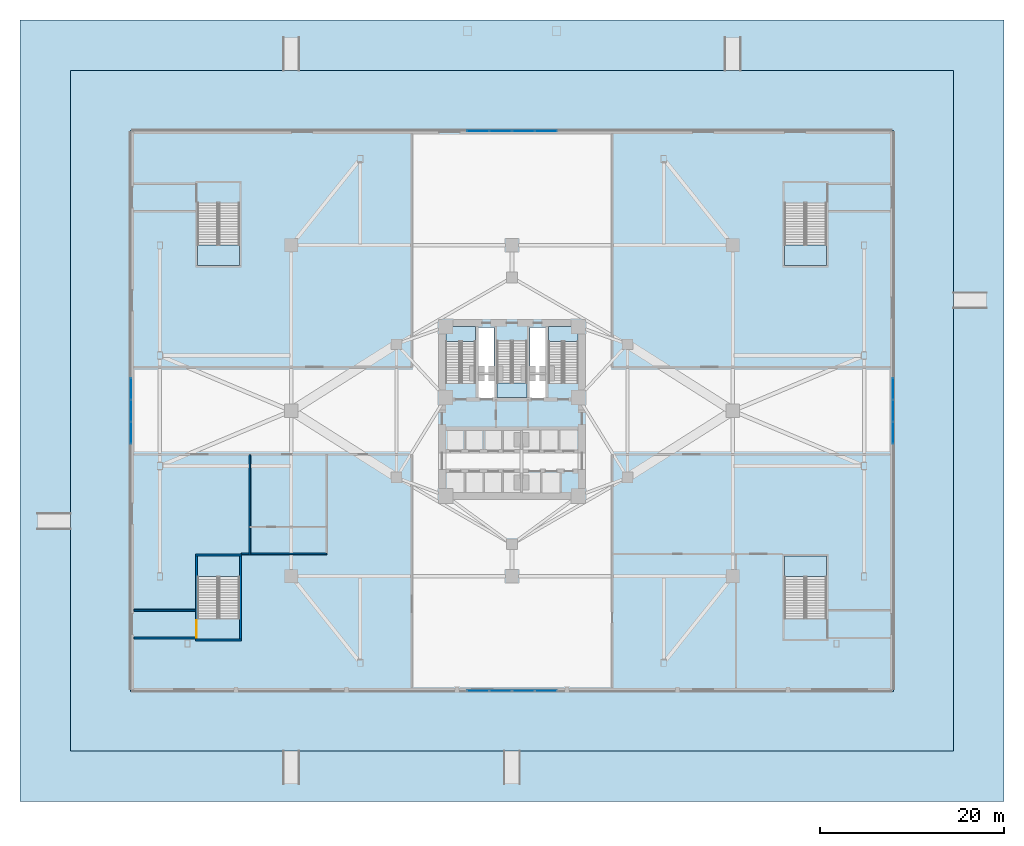
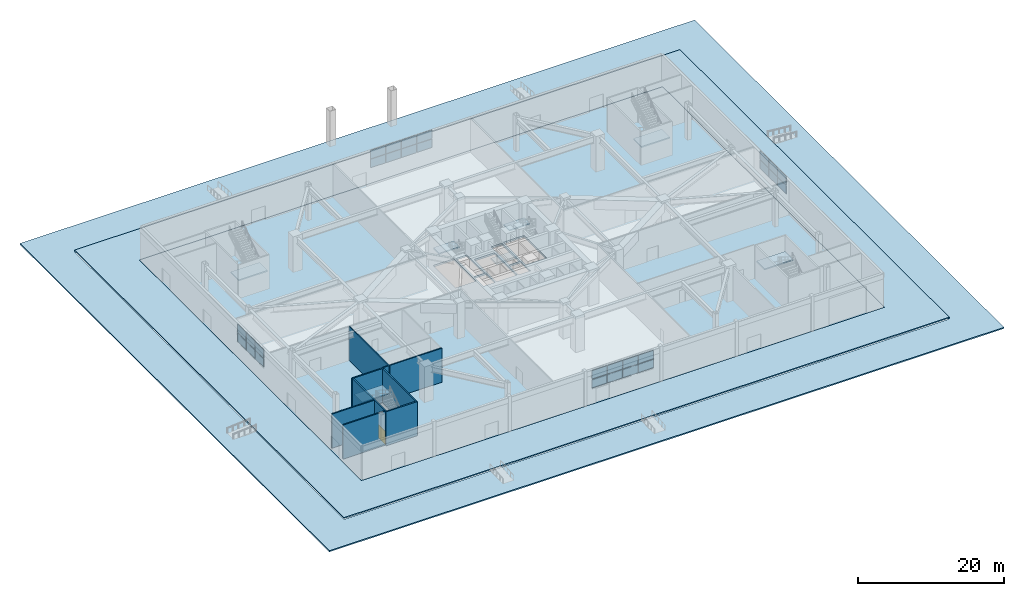
# One storey, part 8 of 24: 28 plates, 10 slabs, 8 walls, 1 door, 1 opening, 11 elements without a shape of their own.
"""IFC4 building model written with IfcOpenShell, lengths in metres."""

from ifc_helpers import new_model, si_unit, direction, frame, frame_2d, origin, origin_2d, place, context, subcontext, project, spatial, polyline, rectangle, outline, extrude, material, layer, layer_set, type_object, element, fill, aggregate, save


model = new_model("IFC4")

# Units and contexts
model_context = context("Model", 3, precision=1e-05, world=origin(), true_north=direction((0.0, 1.0)))
body_context = subcontext(model_context, "Body", "Model", "MODEL_VIEW")
ifc_project = project(units=[si_unit("LENGTHUNIT", "METRE"), si_unit("AREAUNIT", "SQUARE_METRE"), si_unit("VOLUMEUNIT", "CUBIC_METRE"), si_unit("PLANEANGLEUNIT", "RADIAN"), si_unit("MASSUNIT", "GRAM", prefix="KILO")], contexts=[model_context])

# Site, building, storey
site_placement = place(None, origin())
site = spatial("IfcSite", under=ifc_project, at=site_placement, CompositionType="ELEMENT")
building_placement = place(site_placement, origin())
building = spatial("IfcBuilding", under=site, at=building_placement, Name="Apsidion Concourse Tower", CompositionType="ELEMENT")
storey_placement = place(building_placement, origin())
storey = spatial("IfcBuildingStorey", under=building, at=storey_placement, Name="L00", CompositionType="ELEMENT", Elevation=0.0)

# Curtain wall, plates
ifc_material_1 = material(Name="Insulated laminated low-E glass", Category="glass")
ifc_layer_1 = layer(ifc_material_1, 0.18994140625)
ifc_layer_set_1 = layer_set([ifc_layer_1], Name="Insulated laminated low-E glass")
curtain_wall_type = type_object("IfcCurtainWallType", Name="CW-SYS-01", PredefinedType="NOTDEFINED", material=ifc_layer_set_1)
curtain_wall_1_placement = place(storey_placement, origin())
curtain_wall_1 = element("IfcCurtainWall", 1, at=curtain_wall_1_placement, inside=storey, type_object=curtain_wall_type, Name="L00 Podium Glazed Curtain Wall S", PredefinedType="NOTDEFINED")
ifc_layer_2 = layer(ifc_material_1, 0.031982421875)
ifc_layer_set_2 = layer_set([ifc_layer_2], Name="Insulated laminated low-E glass")
plate_type = type_object("IfcPlateType", Name="CWP-GLZ-32", PredefinedType="CURTAIN_PANEL", material=ifc_layer_set_2)
plate_1_placement = place(storey_placement, frame((3.6982421875, -30.43994140625, 2.675048828125), z_axis=(0.0, 0.0, 1.0), x_axis=(-1.0, 0.0, 0.0)))
plate_1 = element("IfcPlate", 2, at=plate_1_placement, type_object=plate_type, Name="CW-01 panel 1.1", PredefinedType="CURTAIN_PANEL", context=body_context, shape_type="SweptSolid", body=[
    extrude(rectangle(XDim=2.365478515625, YDim=0.031982421875, at=origin_2d()), origin(), (0.0, 0.0, 1.0), 1.41259765625),
])
plate_2_placement = place(storey_placement, frame((3.6982421875, -30.43994140625, 4.162353515625), z_axis=(0.0, 0.0, 1.0), x_axis=(-1.0, 0.0, 0.0)))
plate_2 = element("IfcPlate", 3, at=plate_2_placement, type_object=plate_type, Name="CW-01 panel 1.2", PredefinedType="CURTAIN_PANEL", context=body_context, shape_type="SweptSolid", body=[
    extrude(rectangle(XDim=2.365478515625, YDim=0.031982421875, at=origin_2d()), origin(), (0.0, 0.0, 1.0), 1.41259765625),
])
plate_3_placement = place(storey_placement, frame((1.239013671875, -30.43994140625, 2.675048828125), z_axis=(0.0, 0.0, 1.0), x_axis=(-1.0, 0.0, 0.0)))
plate_3 = element("IfcPlate", 4, at=plate_3_placement, type_object=plate_type, Name="CW-01 panel 2.1", PredefinedType="CURTAIN_PANEL", context=body_context, shape_type="SweptSolid", body=[
    extrude(rectangle(XDim=2.403076171875, YDim=0.031982421875, at=origin_2d()), origin(), (0.0, 0.0, 1.0), 1.41259765625),
])
plate_4_placement = place(storey_placement, frame((1.239013671875, -30.43994140625, 4.162353515625), z_axis=(0.0, 0.0, 1.0), x_axis=(-1.0, 0.0, 0.0)))
plate_4 = element("IfcPlate", 5, at=plate_4_placement, type_object=plate_type, Name="CW-01 panel 2.2", PredefinedType="CURTAIN_PANEL", context=body_context, shape_type="SweptSolid", body=[
    extrude(rectangle(XDim=2.403076171875, YDim=0.031982421875, at=origin_2d()), origin(), (0.0, 0.0, 1.0), 1.41259765625),
])
plate_5_placement = place(storey_placement, frame((-1.239013671875, -30.43994140625, 2.675048828125), z_axis=(0.0, 0.0, 1.0), x_axis=(-1.0, 0.0, 0.0)))
plate_5 = element("IfcPlate", 6, at=plate_5_placement, type_object=plate_type, Name="CW-01 panel 3.1", PredefinedType="CURTAIN_PANEL", context=body_context, shape_type="SweptSolid", body=[
    extrude(rectangle(XDim=2.403076171875, YDim=0.031982421875, at=origin_2d()), origin(), (0.0, 0.0, 1.0), 1.41259765625),
])
plate_6_placement = place(storey_placement, frame((-1.239013671875, -30.43994140625, 4.162353515625), z_axis=(0.0, 0.0, 1.0), x_axis=(-1.0, 0.0, 0.0)))
plate_6 = element("IfcPlate", 7, at=plate_6_placement, type_object=plate_type, Name="CW-01 panel 3.2", PredefinedType="CURTAIN_PANEL", context=body_context, shape_type="SweptSolid", body=[
    extrude(rectangle(XDim=2.403076171875, YDim=0.031982421875, at=origin_2d()), origin(), (0.0, 0.0, 1.0), 1.41259765625),
])
plate_7_placement = place(storey_placement, frame((-3.6982421875, -30.43994140625, 2.675048828125), z_axis=(0.0, 0.0, 1.0), x_axis=(-1.0, 0.0, 0.0)))
plate_7 = element("IfcPlate", 8, at=plate_7_placement, type_object=plate_type, Name="CW-01 panel 4.1", PredefinedType="CURTAIN_PANEL", context=body_context, shape_type="SweptSolid", body=[
    extrude(rectangle(XDim=2.365478515625, YDim=0.031982421875, at=origin_2d()), origin(), (0.0, 0.0, 1.0), 1.41259765625),
])
plate_8_placement = place(storey_placement, frame((-3.6982421875, -30.43994140625, 4.162353515625), z_axis=(0.0, 0.0, 1.0), x_axis=(-1.0, 0.0, 0.0)))
plate_8 = element("IfcPlate", 9, at=plate_8_placement, type_object=plate_type, Name="CW-01 panel 4.2", PredefinedType="CURTAIN_PANEL", context=body_context, shape_type="SweptSolid", body=[
    extrude(rectangle(XDim=2.365478515625, YDim=0.031982421875, at=origin_2d()), origin(), (0.0, 0.0, 1.0), 1.41259765625),
])
aggregate(curtain_wall_1, [plate_1, plate_2, plate_3, plate_4, plate_5, plate_6, plate_7, plate_8])

curtain_wall_2_placement = place(storey_placement, origin())
curtain_wall_2 = element("IfcCurtainWall", 10, at=curtain_wall_2_placement, inside=storey, type_object=curtain_wall_type, Name="L00 Podium Glazed Curtain Wall W", PredefinedType="NOTDEFINED")
plate_9_placement = place(storey_placement, frame((-41.43994140625, -2.4052734375, 2.675048828125), z_axis=(0.0, 0.0, 1.0), x_axis=(0.0, 1.0, 0.0)))
plate_9 = element("IfcPlate", 11, at=plate_9_placement, type_object=plate_type, Name="CW-01 panel 1.1", PredefinedType="CURTAIN_PANEL", context=body_context, shape_type="SweptSolid", body=[
    extrude(rectangle(XDim=2.3115234375, YDim=0.031982421875, at=origin_2d()), origin(), (0.0, 0.0, 1.0), 1.41259765625),
])
plate_10_placement = place(storey_placement, frame((-41.43994140625, -2.4052734375, 4.162353515625), z_axis=(0.0, 0.0, 1.0), x_axis=(0.0, 1.0, 0.0)))
plate_10 = element("IfcPlate", 12, at=plate_10_placement, type_object=plate_type, Name="CW-01 panel 1.2", PredefinedType="CURTAIN_PANEL", context=body_context, shape_type="SweptSolid", body=[
    extrude(rectangle(XDim=2.3115234375, YDim=0.031982421875, at=origin_2d()), origin(), (0.0, 0.0, 1.0), 1.41259765625),
])
plate_11_placement = place(storey_placement, frame((-41.43994140625, 0.0, 2.675048828125), z_axis=(0.0, 0.0, 1.0), x_axis=(0.0, 1.0, 0.0)))
plate_11 = element("IfcPlate", 13, at=plate_11_placement, type_object=plate_type, Name="CW-01 panel 2.1", PredefinedType="CURTAIN_PANEL", context=body_context, shape_type="SweptSolid", body=[
    extrude(rectangle(XDim=2.34912109375, YDim=0.031982421875, at=origin_2d()), origin(), (0.0, 0.0, 1.0), 1.41259765625),
])
plate_12_placement = place(storey_placement, frame((-41.43994140625, 0.0, 4.162353515625), z_axis=(0.0, 0.0, 1.0), x_axis=(0.0, 1.0, 0.0)))
plate_12 = element("IfcPlate", 14, at=plate_12_placement, type_object=plate_type, Name="CW-01 panel 2.2", PredefinedType="CURTAIN_PANEL", context=body_context, shape_type="SweptSolid", body=[
    extrude(rectangle(XDim=2.34912109375, YDim=0.031982421875, at=origin_2d()), origin(), (0.0, 0.0, 1.0), 1.41259765625),
])
plate_13_placement = place(storey_placement, frame((-41.43994140625, 2.4052734375, 2.675048828125), z_axis=(0.0, 0.0, 1.0), x_axis=(0.0, 1.0, 0.0)))
plate_13 = element("IfcPlate", 15, at=plate_13_placement, type_object=plate_type, Name="CW-01 panel 3.1", PredefinedType="CURTAIN_PANEL", context=body_context, shape_type="SweptSolid", body=[
    extrude(rectangle(XDim=2.3115234375, YDim=0.031982421875, at=origin_2d()), origin(), (0.0, 0.0, 1.0), 1.41259765625),
])
plate_14_placement = place(storey_placement, frame((-41.43994140625, 2.4052734375, 4.162353515625), z_axis=(0.0, 0.0, 1.0), x_axis=(0.0, 1.0, 0.0)))
plate_14 = element("IfcPlate", 16, at=plate_14_placement, type_object=plate_type, Name="CW-01 panel 3.2", PredefinedType="CURTAIN_PANEL", context=body_context, shape_type="SweptSolid", body=[
    extrude(rectangle(XDim=2.3115234375, YDim=0.031982421875, at=origin_2d()), origin(), (0.0, 0.0, 1.0), 1.41259765625),
])
aggregate(curtain_wall_2, [plate_9, plate_10, plate_11, plate_12, plate_13, plate_14])

curtain_wall_3_placement = place(storey_placement, origin())
curtain_wall_3 = element("IfcCurtainWall", 17, at=curtain_wall_3_placement, inside=storey, type_object=curtain_wall_type, Name="L00 Podium Glazed Curtain Wall N", PredefinedType="NOTDEFINED")
plate_15_placement = place(storey_placement, frame((-3.6982421875, 30.43994140625, 2.675048828125), z_axis=(0.0, 0.0, 1.0), x_axis=(1.0, 0.0, 0.0)))
plate_15 = element("IfcPlate", 18, at=plate_15_placement, type_object=plate_type, Name="CW-01 panel 1.1", PredefinedType="CURTAIN_PANEL", context=body_context, shape_type="SweptSolid", body=[
    extrude(rectangle(XDim=2.365478515625, YDim=0.031982421875, at=origin_2d()), origin(), (0.0, 0.0, 1.0), 1.41259765625),
])
plate_16_placement = place(storey_placement, frame((-3.6982421875, 30.43994140625, 4.162353515625), z_axis=(0.0, 0.0, 1.0), x_axis=(1.0, 0.0, 0.0)))
plate_16 = element("IfcPlate", 19, at=plate_16_placement, type_object=plate_type, Name="CW-01 panel 1.2", PredefinedType="CURTAIN_PANEL", context=body_context, shape_type="SweptSolid", body=[
    extrude(rectangle(XDim=2.365478515625, YDim=0.031982421875, at=origin_2d()), origin(), (0.0, 0.0, 1.0), 1.41259765625),
])
plate_17_placement = place(storey_placement, frame((-1.239013671875, 30.43994140625, 2.675048828125), z_axis=(0.0, 0.0, 1.0), x_axis=(1.0, 0.0, 0.0)))
plate_17 = element("IfcPlate", 20, at=plate_17_placement, type_object=plate_type, Name="CW-01 panel 2.1", PredefinedType="CURTAIN_PANEL", context=body_context, shape_type="SweptSolid", body=[
    extrude(rectangle(XDim=2.403076171875, YDim=0.031982421875, at=origin_2d()), origin(), (0.0, 0.0, 1.0), 1.41259765625),
])
plate_18_placement = place(storey_placement, frame((-1.239013671875, 30.43994140625, 4.162353515625), z_axis=(0.0, 0.0, 1.0), x_axis=(1.0, 0.0, 0.0)))
plate_18 = element("IfcPlate", 21, at=plate_18_placement, type_object=plate_type, Name="CW-01 panel 2.2", PredefinedType="CURTAIN_PANEL", context=body_context, shape_type="SweptSolid", body=[
    extrude(rectangle(XDim=2.403076171875, YDim=0.031982421875, at=origin_2d()), origin(), (0.0, 0.0, 1.0), 1.41259765625),
])
plate_19_placement = place(storey_placement, frame((1.239013671875, 30.43994140625, 2.675048828125), z_axis=(0.0, 0.0, 1.0), x_axis=(1.0, 0.0, 0.0)))
plate_19 = element("IfcPlate", 22, at=plate_19_placement, type_object=plate_type, Name="CW-01 panel 3.1", PredefinedType="CURTAIN_PANEL", context=body_context, shape_type="SweptSolid", body=[
    extrude(rectangle(XDim=2.403076171875, YDim=0.031982421875, at=origin_2d()), origin(), (0.0, 0.0, 1.0), 1.41259765625),
])
plate_20_placement = place(storey_placement, frame((1.239013671875, 30.43994140625, 4.162353515625), z_axis=(0.0, 0.0, 1.0), x_axis=(1.0, 0.0, 0.0)))
plate_20 = element("IfcPlate", 23, at=plate_20_placement, type_object=plate_type, Name="CW-01 panel 3.2", PredefinedType="CURTAIN_PANEL", context=body_context, shape_type="SweptSolid", body=[
    extrude(rectangle(XDim=2.403076171875, YDim=0.031982421875, at=origin_2d()), origin(), (0.0, 0.0, 1.0), 1.41259765625),
])
plate_21_placement = place(storey_placement, frame((3.6982421875, 30.43994140625, 2.675048828125), z_axis=(0.0, 0.0, 1.0), x_axis=(1.0, 0.0, 0.0)))
plate_21 = element("IfcPlate", 24, at=plate_21_placement, type_object=plate_type, Name="CW-01 panel 4.1", PredefinedType="CURTAIN_PANEL", context=body_context, shape_type="SweptSolid", body=[
    extrude(rectangle(XDim=2.365478515625, YDim=0.031982421875, at=origin_2d()), origin(), (0.0, 0.0, 1.0), 1.41259765625),
])
plate_22_placement = place(storey_placement, frame((3.6982421875, 30.43994140625, 4.162353515625), z_axis=(0.0, 0.0, 1.0), x_axis=(1.0, 0.0, 0.0)))
plate_22 = element("IfcPlate", 25, at=plate_22_placement, type_object=plate_type, Name="CW-01 panel 4.2", PredefinedType="CURTAIN_PANEL", context=body_context, shape_type="SweptSolid", body=[
    extrude(rectangle(XDim=2.365478515625, YDim=0.031982421875, at=origin_2d()), origin(), (0.0, 0.0, 1.0), 1.41259765625),
])
aggregate(curtain_wall_3, [plate_15, plate_16, plate_17, plate_18, plate_19, plate_20, plate_21, plate_22])

curtain_wall_4_placement = place(storey_placement, origin())
curtain_wall_4 = element("IfcCurtainWall", 26, at=curtain_wall_4_placement, inside=storey, type_object=curtain_wall_type, Name="L00 Podium Glazed Curtain Wall E", PredefinedType="NOTDEFINED")
plate_23_placement = place(storey_placement, frame((41.43994140625, 2.4052734375, 2.675048828125), z_axis=(0.0, 0.0, 1.0), x_axis=(0.0, -1.0, 0.0)))
plate_23 = element("IfcPlate", 27, at=plate_23_placement, type_object=plate_type, Name="CW-01 panel 1.1", PredefinedType="CURTAIN_PANEL", context=body_context, shape_type="SweptSolid", body=[
    extrude(rectangle(XDim=2.3115234375, YDim=0.031982421875, at=origin_2d()), origin(), (0.0, 0.0, 1.0), 1.41259765625),
])
plate_24_placement = place(storey_placement, frame((41.43994140625, 2.4052734375, 4.162353515625), z_axis=(0.0, 0.0, 1.0), x_axis=(0.0, -1.0, 0.0)))
plate_24 = element("IfcPlate", 28, at=plate_24_placement, type_object=plate_type, Name="CW-01 panel 1.2", PredefinedType="CURTAIN_PANEL", context=body_context, shape_type="SweptSolid", body=[
    extrude(rectangle(XDim=2.3115234375, YDim=0.031982421875, at=origin_2d()), origin(), (0.0, 0.0, 1.0), 1.41259765625),
])
plate_25_placement = place(storey_placement, frame((41.43994140625, 0.0, 2.675048828125), z_axis=(0.0, 0.0, 1.0), x_axis=(0.0, -1.0, 0.0)))
plate_25 = element("IfcPlate", 29, at=plate_25_placement, type_object=plate_type, Name="CW-01 panel 2.1", PredefinedType="CURTAIN_PANEL", context=body_context, shape_type="SweptSolid", body=[
    extrude(rectangle(XDim=2.34912109375, YDim=0.031982421875, at=origin_2d()), origin(), (0.0, 0.0, 1.0), 1.41259765625),
])
plate_26_placement = place(storey_placement, frame((41.43994140625, 0.0, 4.162353515625), z_axis=(0.0, 0.0, 1.0), x_axis=(0.0, -1.0, 0.0)))
plate_26 = element("IfcPlate", 30, at=plate_26_placement, type_object=plate_type, Name="CW-01 panel 2.2", PredefinedType="CURTAIN_PANEL", context=body_context, shape_type="SweptSolid", body=[
    extrude(rectangle(XDim=2.34912109375, YDim=0.031982421875, at=origin_2d()), origin(), (0.0, 0.0, 1.0), 1.41259765625),
])
plate_27_placement = place(storey_placement, frame((41.43994140625, -2.4052734375, 2.675048828125), z_axis=(0.0, 0.0, 1.0), x_axis=(0.0, -1.0, 0.0)))
plate_27 = element("IfcPlate", 31, at=plate_27_placement, type_object=plate_type, Name="CW-01 panel 3.1", PredefinedType="CURTAIN_PANEL", context=body_context, shape_type="SweptSolid", body=[
    extrude(rectangle(XDim=2.3115234375, YDim=0.031982421875, at=origin_2d()), origin(), (0.0, 0.0, 1.0), 1.41259765625),
])
plate_28_placement = place(storey_placement, frame((41.43994140625, -2.4052734375, 4.162353515625), z_axis=(0.0, 0.0, 1.0), x_axis=(0.0, -1.0, 0.0)))
plate_28 = element("IfcPlate", 32, at=plate_28_placement, type_object=plate_type, Name="CW-01 panel 3.2", PredefinedType="CURTAIN_PANEL", context=body_context, shape_type="SweptSolid", body=[
    extrude(rectangle(XDim=2.3115234375, YDim=0.031982421875, at=origin_2d()), origin(), (0.0, 0.0, 1.0), 1.41259765625),
])
aggregate(curtain_wall_4, [plate_23, plate_24, plate_25, plate_26, plate_27, plate_28])

# Slabs
ifc_material_2 = material(Name="Concrete C50/60", Category="concrete")
ifc_layer_3 = layer(ifc_material_2, 0.300048828125)
ifc_layer_set_3 = layer_set([ifc_layer_3], Name="Concrete C50/60")
slab_type_1 = type_object("IfcSlabType", Name="SL-FLR-300", PredefinedType="FLOOR", material=ifc_layer_set_3)
slab_1_placement = place(storey_placement, frame((0.0, 0.0, -0.300048828125)))
element("IfcSlab", 33, at=slab_1_placement, inside=storey, type_object=slab_type_1, Name="L00 Structural Floor Slab", PredefinedType="FLOOR", context=body_context, shape_type="SweptSolid", body=[
    extrude(outline(polyline([(-41.5, -30.5), (41.5, -30.5), (41.5, 30.5), (-41.5, 30.5), (-41.5, -30.5)]), holes=[polyline([(-3.949951171875, 3.0), (-3.949951171875, 9.14990234375), (-7.199951171875, 9.14990234375), (-7.199951171875, 3.0), (-3.949951171875, 3.0)]), polyline([(7.199951171875, 3.0), (7.199951171875, 9.14990234375), (3.949951171875, 9.14990234375), (3.949951171875, 3.0), (7.199951171875, 3.0)]), polyline([(-1.625, 7.60009765625), (-1.625, 1.449951171875), (1.625, 1.449951171875), (1.625, 7.60009765625), (-1.625, 7.60009765625)]), polyline([(-3.7099609375, 1.39990234375), (-1.85009765625, 1.39990234375), (-1.85009765625, 4.0), (-3.7099609375, 4.0), (-3.7099609375, 1.39990234375)]), polyline([(1.85009765625, 1.39990234375), (3.7099609375, 1.39990234375), (3.7099609375, 4.0), (1.85009765625, 4.0), (1.85009765625, 1.39990234375)]), polyline([(-3.6201171875, 4.14990234375), (-1.93994140625, 4.14990234375), (-1.93994140625, 9.050048828125), (-3.6201171875, 9.050048828125), (-3.6201171875, 4.14990234375)]), polyline([(1.93994140625, 4.14990234375), (3.6201171875, 4.14990234375), (3.6201171875, 9.050048828125), (1.93994140625, 9.050048828125), (1.93994140625, 4.14990234375)])]), origin(), (0.0, 0.0, 1.0), 0.300048828125),
])
ifc_material_3 = material(Name="Precast concrete C40/50", Category="concrete")
ifc_layer_4 = layer(ifc_material_3, 0.199951171875)
ifc_layer_set_4 = layer_set([ifc_layer_4], Name="Precast concrete C40/50")
slab_type_2 = type_object("IfcSlabType", Name="SL-PAV-200", PredefinedType="USERDEFINED", material=ifc_layer_set_4)
slab_2_placement = place(storey_placement, frame((0.0, 0.0, -0.199951171875)))
element("IfcSlab", 34, at=slab_2_placement, inside=storey, type_object=slab_type_2, Name="L00 Street Concourse Forecourt and Drop-Off Paving", ObjectType="PAVING", PredefinedType="USERDEFINED", context=body_context, shape_type="SweptSolid", body=[
    extrude(outline(polyline([(-48.0, -37.0), (48.0, -37.0), (48.0, 37.0), (-48.0, 37.0), (-48.0, -37.0)]), holes=[polyline([(-41.5, -30.5), (41.5, -30.5), (41.5, 30.5), (-41.5, 30.5), (-41.5, -30.5)])]), origin(), (0.0, 0.0, 1.0), 0.199951171875),
])

# Stair, slab
stair_type_1 = type_object("IfcStairType", Name="ST-DL-1550", PredefinedType="HALF_TURN_STAIR", material=ifc_material_3)
stair_1_placement = place(storey_placement, origin())
stair_1 = element("IfcStair", 35, at=stair_1_placement, inside=storey, type_object=stair_type_1, Name="L00 Protected Core Exit Stair ST1", PredefinedType="HALF_TURN_STAIR")
ifc_layer_5 = layer(ifc_material_2, 0.199951171875)
ifc_layer_set_5 = layer_set([ifc_layer_5], Name="Concrete C50/60")
slab_type_3 = type_object("IfcSlabType", Name="SL-ST-LAND-200", PredefinedType="LANDING", material=ifc_layer_set_5)
slab_3_placement = place(storey_placement, frame((0.0, 0.0, 2.800048828125)))
slab_3 = element("IfcSlab", 36, at=slab_3_placement, type_object=slab_type_3, Name="ST1 landing 1", PredefinedType="LANDING", context=body_context, shape_type="SweptSolid", body=[
    extrude(outline(polyline([(-3.949951171875, 7.56005859375), (-3.949951171875, 9.14990234375), (-7.199951171875, 9.14990234375), (-7.199951171875, 7.56005859375), (-3.949951171875, 7.56005859375)])), origin(), (0.0, 0.0, 1.0), 0.199951171875),
])
aggregate(stair_1, [slab_3])

stair_2_placement = place(storey_placement, origin())
stair_2 = element("IfcStair", 37, at=stair_2_placement, inside=storey, type_object=stair_type_1, Name="L00 Protected Core Exit Stair ST2", PredefinedType="HALF_TURN_STAIR")
slab_4_placement = place(storey_placement, frame((0.0, 0.0, 2.800048828125)))
slab_4 = element("IfcSlab", 38, at=slab_4_placement, type_object=slab_type_3, Name="ST2 landing 1", PredefinedType="LANDING", context=body_context, shape_type="SweptSolid", body=[
    extrude(outline(polyline([(7.199951171875, 7.56005859375), (7.199951171875, 9.14990234375), (3.949951171875, 9.14990234375), (3.949951171875, 7.56005859375), (7.199951171875, 7.56005859375)])), origin(), (0.0, 0.0, 1.0), 0.199951171875),
])
aggregate(stair_2, [slab_4])

stair_3_placement = place(storey_placement, origin())
stair_3 = element("IfcStair", 39, at=stair_3_placement, inside=storey, type_object=stair_type_1, Name="L00 Protected Core Exit Stair ST3", PredefinedType="HALF_TURN_STAIR")
slab_5_placement = place(storey_placement, frame((0.0, 0.0, 2.800048828125)))
slab_5 = element("IfcSlab", 40, at=slab_5_placement, type_object=slab_type_3, Name="ST3 landing 1", PredefinedType="LANDING", context=body_context, shape_type="SweptSolid", body=[
    extrude(outline(polyline([(-1.625, 3.0400390625), (-1.625, 1.449951171875), (1.625, 1.449951171875), (1.625, 3.0400390625), (-1.625, 3.0400390625)])), origin(), (0.0, 0.0, 1.0), 0.199951171875),
])
aggregate(stair_3, [slab_5])

stair_type_2 = type_object("IfcStairType", Name="ST-DL-2200", PredefinedType="HALF_TURN_STAIR", material=ifc_material_3)
stair_4_placement = place(storey_placement, origin())
stair_4 = element("IfcStair", 41, at=stair_4_placement, inside=storey, type_object=stair_type_2, Name="L00 Podium Convention Exit Stair ST-P1", PredefinedType="HALF_TURN_STAIR")
slab_6_placement = place(storey_placement, frame((0.0, 0.0, 2.800048828125)))
slab_6 = element("IfcSlab", 42, at=slab_6_placement, type_object=slab_type_3, Name="ST-P1 landing 1", PredefinedType="LANDING", context=body_context, shape_type="SweptSolid", body=[
    extrude(outline(polyline([(-29.64990234375, -18.0400390625), (-29.64990234375, -15.800048828125), (-34.199951171875, -15.800048828125), (-34.199951171875, -18.0400390625), (-29.64990234375, -18.0400390625)])), origin(), (0.0, 0.0, 1.0), 0.199951171875),
])
aggregate(stair_4, [slab_6])

stair_5_placement = place(storey_placement, origin())
stair_5 = element("IfcStair", 43, at=stair_5_placement, inside=storey, type_object=stair_type_2, Name="L00 Podium Convention Exit Stair ST-P2", PredefinedType="HALF_TURN_STAIR")
slab_7_placement = place(storey_placement, frame((0.0, 0.0, 2.800048828125)))
slab_7 = element("IfcSlab", 44, at=slab_7_placement, type_object=slab_type_3, Name="ST-P2 landing 1", PredefinedType="LANDING", context=body_context, shape_type="SweptSolid", body=[
    extrude(outline(polyline([(34.199951171875, -18.0400390625), (34.199951171875, -15.800048828125), (29.64990234375, -15.800048828125), (29.64990234375, -18.0400390625), (34.199951171875, -18.0400390625)])), origin(), (0.0, 0.0, 1.0), 0.199951171875),
])
aggregate(stair_5, [slab_7])

stair_6_placement = place(storey_placement, origin())
stair_6 = element("IfcStair", 45, at=stair_6_placement, inside=storey, type_object=stair_type_2, Name="L00 Podium Convention Exit Stair ST-P3", PredefinedType="HALF_TURN_STAIR")
slab_8_placement = place(storey_placement, frame((0.0, 0.0, 2.800048828125)))
slab_8 = element("IfcSlab", 46, at=slab_8_placement, type_object=slab_type_3, Name="ST-P3 landing 1", PredefinedType="LANDING", context=body_context, shape_type="SweptSolid", body=[
    extrude(outline(polyline([(-34.199951171875, 18.0400390625), (-34.199951171875, 15.800048828125), (-29.64990234375, 15.800048828125), (-29.64990234375, 18.0400390625), (-34.199951171875, 18.0400390625)])), origin(), (0.0, 0.0, 1.0), 0.199951171875),
])
aggregate(stair_6, [slab_8])

stair_7_placement = place(storey_placement, origin())
stair_7 = element("IfcStair", 47, at=stair_7_placement, inside=storey, type_object=stair_type_2, Name="L00 Podium Convention Exit Stair ST-P4", PredefinedType="HALF_TURN_STAIR")
slab_9_placement = place(storey_placement, frame((0.0, 0.0, 2.800048828125)))
slab_9 = element("IfcSlab", 48, at=slab_9_placement, type_object=slab_type_3, Name="ST-P4 landing 1", PredefinedType="LANDING", context=body_context, shape_type="SweptSolid", body=[
    extrude(outline(polyline([(29.64990234375, 18.0400390625), (29.64990234375, 15.800048828125), (34.199951171875, 15.800048828125), (34.199951171875, 18.0400390625), (29.64990234375, 18.0400390625)])), origin(), (0.0, 0.0, 1.0), 0.199951171875),
])
aggregate(stair_7, [slab_9])

# Slab
ifc_layer_6 = layer(ifc_material_3, 0.199951171875)
ifc_layer_set_6 = layer_set([ifc_layer_6], Name="Precast concrete C40/50")
slab_type_4 = type_object("IfcSlabType", Name="SL-SWK-200", PredefinedType="BASESLAB", material=ifc_layer_set_6)
slab_10_placement = place(storey_placement, frame((0.0, 0.0, -0.5)))
element("IfcSlab", 49, at=slab_10_placement, inside=storey, type_object=slab_type_4, Name="L00 Perimeter Street Sidewalk Landing Apron", PredefinedType="BASESLAB", context=body_context, shape_type="SweptSolid", body=[
    extrude(outline(polyline([(-53.5, -42.5), (53.5, -42.5), (53.5, 42.5), (-53.5, 42.5), (-53.5, -42.5)]), holes=[polyline([(-48.0, -37.0), (48.0, -37.0), (48.0, 37.0), (-48.0, 37.0), (-48.0, -37.0)])]), origin(), (0.0, 0.0, 1.0), 0.199951171875),
])

# Walls
ifc_material_4 = material(Name="Gypsum plasterboard partition")
ifc_layer_7 = layer(ifc_material_4, 0.14990234375)
ifc_layer_set_7 = layer_set([ifc_layer_7], Name="Gypsum plasterboard partition")
wall_type_1 = type_object("IfcWallType", Name="WL-INT-PAR-150", PredefinedType="PARTITIONING", material=ifc_layer_set_7)
wall_1_placement = place(storey_placement, frame((-28.5, -15.64990234375, 0.0), z_axis=(0.0, 0.0, 1.0), x_axis=(0.0, 1.0, 0.0)))
element("IfcWall", 50, at=wall_1_placement, inside=storey, type_object=wall_type_1, Name="L00 Interior Partition WL-L00-WC-W", PredefinedType="PARTITIONING", context=body_context, shape_type="SweptSolid", body=[
    extrude(rectangle(XDim=10.89990234375, YDim=0.14990234375, at=frame_2d((5.449951171875, 0.0))), origin(), (0.0, 0.0, 1.0), 5.699951171875),
])
ifc_layer_8 = layer(ifc_material_4, 0.179931640625)
ifc_layer_set_8 = layer_set([ifc_layer_8], Name="Gypsum plasterboard partition")
wall_type_2 = type_object("IfcWallType", Name="WL-INT-PAR-180", PredefinedType="PARTITIONING", material=ifc_layer_set_8)
wall_2_placement = place(storey_placement, frame((-29.429931640625, -15.550048828125, 0.0), z_axis=(0.0, 0.0, 1.0), x_axis=(1.0, 0.0, 0.0)))
element("IfcWall", 51, at=wall_2_placement, inside=storey, type_object=wall_type_2, Name="L00 Interior Partition WL-L00-RET-N2", PredefinedType="PARTITIONING", context=body_context, shape_type="SweptSolid", body=[
    extrude(rectangle(XDim=9.280029296875, YDim=0.179931640625, at=frame_2d((4.64013671875, 0.0))), origin(), (0.0, 0.0, 1.0), 5.699951171875),
])
ifc_layer_9 = layer(ifc_material_4, 0.199951171875)
ifc_layer_set_9 = layer_set([ifc_layer_9], Name="Gypsum plasterboard partition")
wall_type_3 = type_object("IfcWallType", Name="WL-INT-PAR-200", PredefinedType="PARTITIONING", material=ifc_layer_set_9)
for number, where, z_axis, x_axis, name in (
    (52, (-41.10498046875, -24.7099609375, 0.0), (0.0, 0.0, 1.0), (1.0, 0.0, 0.0), "L00 Interior Partition WL-L00-EXP1-S"),
    (53, (-41.10498046875, -21.68994140625, 0.0), (0.0, 0.0, 1.0), (1.0, 0.0, 0.0), "L00 Interior Partition WL-L00-EXP1-N"),
):
    element("IfcWall", number, at=place(storey_placement, frame(where, z_axis=z_axis, x_axis=x_axis)), inside=storey, type_object=wall_type_3, Name=name, PredefinedType="PARTITIONING", context=body_context, shape_type="SweptSolid", body=[
        extrude(rectangle(XDim=6.68505859375, YDim=0.199951171875, at=frame_2d((3.342529296875, 0.0))), origin(), (0.0, 0.0, 1.0), 5.699951171875),
    ])
ifc_layer_10 = layer(ifc_material_2, 0.219970703125)
ifc_layer_set_10 = layer_set([ifc_layer_10], Name="Concrete C50/60")
wall_type_4 = type_object("IfcWallType", Name="WL-SH-220", PredefinedType="SHEAR", material=ifc_layer_set_10)
for number, where, z_axis, x_axis, name in (
    (54, (-34.419921875, -24.909912109375, 0.0), (0.0, 0.0, 1.0), (1.0, 0.0, 0.0), "L00 Podium Stair ST-P1 Core Shear Wall S"),
    (55, (-34.419921875, -15.68994140625, 0.0), (0.0, 0.0, 1.0), (1.0, 0.0, 0.0), "L00 Podium Stair ST-P1 Core Shear Wall N"),
):
    element("IfcWall", number, at=place(storey_placement, frame(where, z_axis=z_axis, x_axis=x_axis)), inside=storey, type_object=wall_type_4, Name=name, PredefinedType="SHEAR", context=body_context, shape_type="SweptSolid", body=[
        extrude(rectangle(XDim=4.989990234375, YDim=0.219970703125, at=frame_2d((2.4951171875, 0.0))), origin(), (0.0, 0.0, 1.0), 5.699951171875),
    ])

# Wall, opening, door
wall_3_placement = place(storey_placement, frame((-34.31005859375, -24.800048828125, 0.0), z_axis=(0.0, 0.0, 1.0), x_axis=(0.0, 1.0, 0.0)))
wall_3 = element("IfcWall", 56, at=wall_3_placement, inside=storey, type_object=wall_type_4, Name="L00 Podium Stair ST-P1 Core Shear Wall W", PredefinedType="SHEAR", context=body_context, shape_type="SweptSolid", body=[
    extrude(rectangle(XDim=9.0, YDim=0.219970703125, at=frame_2d((4.5, 0.0))), origin(), (0.0, 0.0, 1.0), 5.699951171875),
])
opening_placement = place(wall_3_placement, frame((0.139892578125, 0.0, 0.0)))
opening = element("IfcOpeningElement", 57, at=opening_placement, cuts=wall_3, Name="Opening D-07D", PredefinedType="OPENING", context=body_context, shape_type="SweptSolid", body=[
    extrude(rectangle(XDim=1.89990234375, YDim=2.199951171875, at=frame_2d((0.949951171875, 1.10009765625))), frame((0.0, 0.1201171875, 0.0), z_axis=(0.0, -1.0, 0.0), x_axis=(1.0, 0.0, 0.0)), (0.0, 0.0, 1.0), 0.239990234375),
])
ifc_material_5 = material(Name="Brushed stainless steel 316", Category="steel")
door_type = type_object("IfcDoorType", Name="DR-INT-D07D", OperationType="DOUBLE_DOOR_SINGLE_SWING", PredefinedType="DOOR", material=ifc_material_5)
door_placement = place(opening_placement, origin())
door = element("IfcDoor", 58, at=door_placement, inside=storey, type_object=door_type, Name="L00 Podium Exit Stair ST-P1 Discharge Door", OperationType="DOUBLE_DOOR_SINGLE_SWING", OverallHeight=2.199951171875, OverallWidth=1.89990234375, PredefinedType="DOOR", context=body_context, shape_type="SweptSolid", body=[
    extrude(rectangle(XDim=1.89990234375, YDim=2.199951171875, at=frame_2d((0.949951171875, 1.10009765625))), frame((0.0, 0.02490234375, 0.0), z_axis=(0.0, -1.0, 0.0), x_axis=(1.0, 0.0, 0.0)), (0.0, 0.0, 1.0), 0.050048828125),
])
fill(opening, door)

# Wall
wall_4_placement = place(storey_placement, frame((-29.5400390625, -15.800048828125, 0.0), z_axis=(0.0, 0.0, 1.0), x_axis=(0.0, -1.0, 0.0)))
element("IfcWall", 59, at=wall_4_placement, inside=storey, type_object=wall_type_4, Name="L00 Podium Stair ST-P1 Core Shear Wall E", PredefinedType="SHEAR", context=body_context, shape_type="SweptSolid", body=[
    extrude(rectangle(XDim=9.0, YDim=0.219970703125, at=frame_2d((4.5, 0.0))), origin(), (0.0, 0.0, 1.0), 5.699951171875),
])

save(model, "model.ifc")
